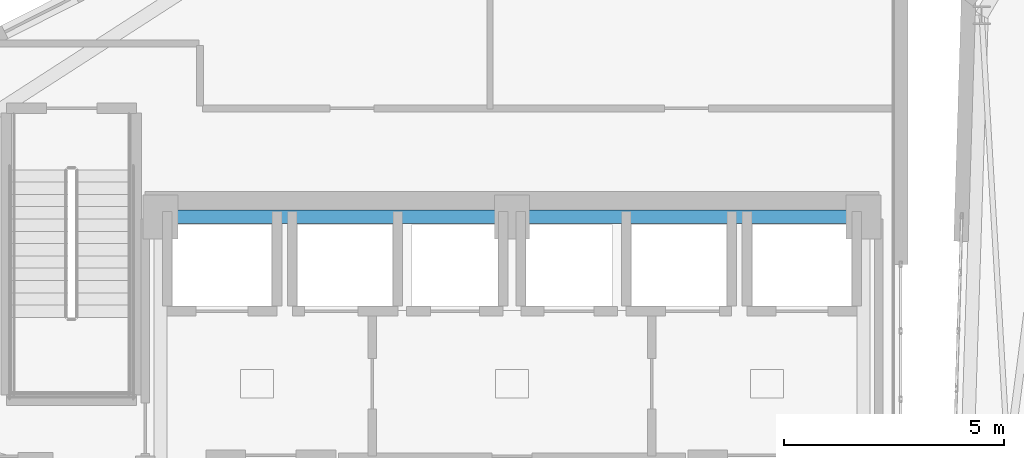
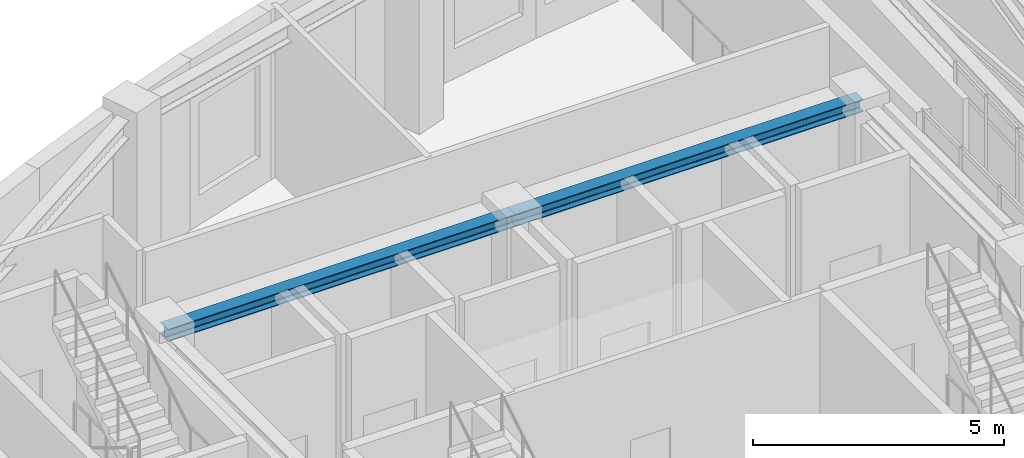
# One storey, part 10 of 19: 2 beams.
"""IFC4 building model written with IfcOpenShell, lengths in metres."""

from ifc_helpers import new_model, si_unit, direction, frame, origin, origin_2d, place, context, subcontext, project, spatial, i_section, extrude, material, material_profile, profile_set, type_object, element, save


model = new_model("IFC4")

# Units and contexts
model_context = context("Model", 3, precision=1e-05, world=origin(), true_north=direction((0.0, 1.0)))
body_context = subcontext(model_context, "Body", "Model", "MODEL_VIEW")
ifc_project = project(units=[si_unit("LENGTHUNIT", "METRE"), si_unit("AREAUNIT", "SQUARE_METRE"), si_unit("VOLUMEUNIT", "CUBIC_METRE"), si_unit("PLANEANGLEUNIT", "RADIAN"), si_unit("MASSUNIT", "GRAM", prefix="KILO")], contexts=[model_context])

# Site, building, storey
site_placement = place(None, origin())
site = spatial("IfcSite", under=ifc_project, at=site_placement, CompositionType="ELEMENT")
building_placement = place(site_placement, origin())
building = spatial("IfcBuilding", under=site, at=building_placement, Name="Ndelora Gate Hotel", CompositionType="ELEMENT")
storey_placement = place(building_placement, frame((0.0, 0.0, 290.39990234375)))
storey = spatial("IfcBuildingStorey", under=building, at=storey_placement, Name="L72", CompositionType="ELEMENT", Elevation=290.39990234375)

# Beams
ifc_material = material(Name="Steel S355", Category="steel")
ifc_material_profile = material_profile(ifc_material, i_section(OverallWidth=0.300048828125, OverallDepth=0.300048828125, WebThickness=0.010986328125, FlangeThickness=0.01904296875, FilletRadius=0.027099609375, at=origin_2d()), Name="HEB 300")
ifc_profile_set = profile_set([ifc_material_profile], Name="Steel S355")
beam_type = type_object("IfcBeamType", Name="BM-CORE-300", PredefinedType="BEAM", material=ifc_profile_set)
for number, where, z_axis, x_axis, name in (
    (1, (-8.0, 6.60009765625, 3.97998046875), (1.0, 0.0, 0.0), (0.0, 1.0, 0.0), "L72 Core Tie Girder CC7-CC6"),
    (2, (0.0, 6.60009765625, 3.97998046875), (1.0, 0.0, 0.0), (0.0, 1.0, 0.0), "L72 Core Tie Girder CC6-CC5"),
):
    element("IfcBeam", number, at=place(storey_placement, frame(where, z_axis=z_axis, x_axis=x_axis)), inside=storey, type_object=beam_type, Name=name, PredefinedType="BEAM", context=body_context, shape_type="SweptSolid", body=[
        extrude(i_section(OverallWidth=0.300048828125, OverallDepth=0.300048828125, WebThickness=0.010986328125, FlangeThickness=0.01904296875, FilletRadius=0.027099609375, at=origin_2d()), origin(), (0.0, 0.0, 1.0), 8.0),
    ])

save(model, "model.ifc")
